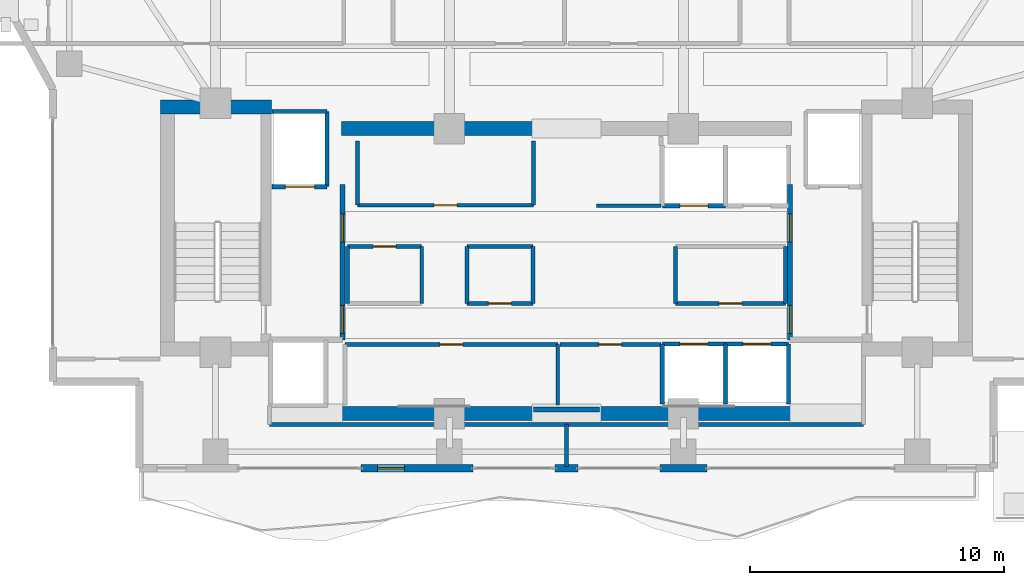
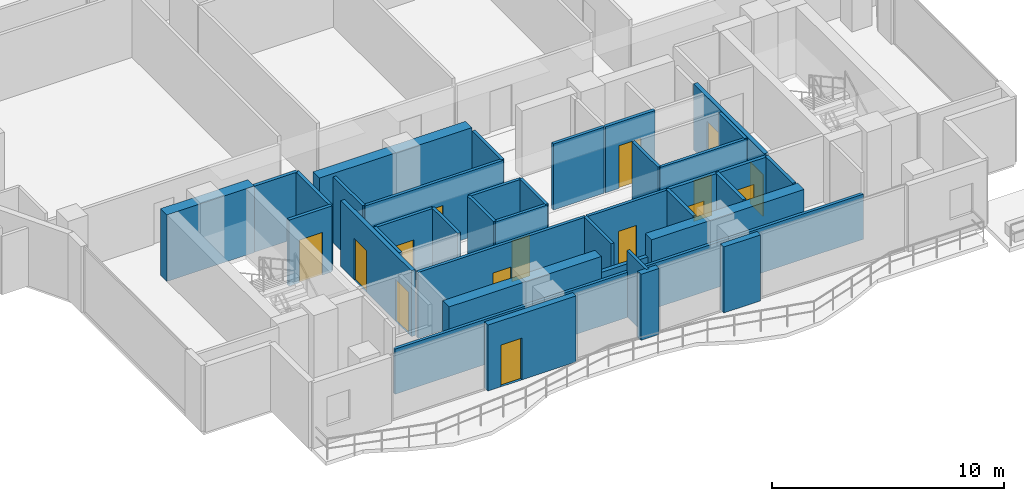
# One storey, part 19 of 25: 39 walls, 15 doors, 15 openings.
"""IFC4 building model written with IfcOpenShell, lengths in metres."""

from ifc_helpers import new_model, si_unit, direction, frame, frame_2d, origin, place, context, subcontext, project, spatial, rectangle, extrude, material, layer, layer_set, type_object, element, fill, save


model = new_model("IFC4")

# Units and contexts
model_context = context("Model", 3, precision=1e-05, world=origin(), true_north=direction((0.0, 1.0)))
body_context = subcontext(model_context, "Body", "Model", "MODEL_VIEW")
ifc_project = project(units=[si_unit("LENGTHUNIT", "METRE"), si_unit("AREAUNIT", "SQUARE_METRE"), si_unit("VOLUMEUNIT", "CUBIC_METRE"), si_unit("PLANEANGLEUNIT", "RADIAN"), si_unit("MASSUNIT", "GRAM", prefix="KILO")], contexts=[model_context])

# Site, building, storey
site_placement = place(None, origin())
site = spatial("IfcSite", under=ifc_project, at=site_placement, CompositionType="ELEMENT")
building_placement = place(site_placement, origin())
building = spatial("IfcBuilding", under=site, at=building_placement, Name="Zuhayl Quay Hotel", CompositionType="ELEMENT")
storey_placement = place(building_placement, frame((0.0, 0.0, 258.14990234375)))
storey = spatial("IfcBuildingStorey", under=building, at=storey_placement, Name="L65", CompositionType="ELEMENT", Elevation=258.14990234375)

# Walls
ifc_material_1 = material(Name="Concrete C50/60", Category="concrete")
ifc_layer_1 = layer(ifc_material_1, 0.550048828125, Name="Concrete C50/60", Category="concrete")
ifc_layer_set_1 = layer_set([ifc_layer_1], Name="Concrete C50/60")
wall_type_1 = type_object("IfcWallType", Name="WL_CORE_550", PredefinedType="SHEAR", material=ifc_layer_set_1)
wall_1_placement = place(storey_placement, frame((-15.9599609375, 14.205078125, 0.0), z_axis=(0.0, 0.0, 1.0), x_axis=(1.0, 0.0, 0.0)))
element("IfcWall", 1, at=wall_1_placement, inside=storey, type_object=wall_type_1, Name="L65 Core Shear Wall CW_NW", PredefinedType="SHEAR", context=body_context, shape_type="SweptSolid", body=[
    extrude(rectangle(XDim=4.35986328125, YDim=0.550048828125, at=frame_2d((2.179931640625, 0.0))), origin(), (0.0, 0.0, 1.0), 3.510009765625),
])
for number, where, z_axis, x_axis, name in (
    (2, (-8.85009765625, 2.14990234375, 0.0), (0.0, 0.0, 1.0), (1.0, 0.0, 0.0), "L65 Core Shear Wall CW_SC_W"),
    (3, (1.25, 2.14990234375, 0.0), (0.0, 0.0, 1.0), (1.0, 0.0, 0.0), "L65 Core Shear Wall CW_SC_E"),
    (4, (-8.85009765625, 13.35009765625, 0.0), (0.0, 0.0, 1.0), (1.0, 0.0, 0.0), "L65 Core Shear Wall CW_NC_W"),
):
    element("IfcWall", number, at=place(storey_placement, frame(where, z_axis=z_axis, x_axis=x_axis)), inside=storey, type_object=wall_type_1, Name=name, PredefinedType="SHEAR", context=body_context, shape_type="SweptSolid", body=[
        extrude(rectangle(XDim=7.60009765625, YDim=0.550048828125, at=frame_2d((3.800048828125, 0.0))), origin(), (0.0, 0.0, 1.0), 3.47998046875),
    ])
ifc_material_2 = material(Name="Precast concrete C45/55", Category="concrete")
ifc_layer_2 = layer(ifc_material_2, 0.300048828125, Name="Precast concrete C45/55", Category="concrete")
ifc_layer_set_2 = layer_set([ifc_layer_2], Name="Precast concrete C45/55")
wall_type_2 = type_object("IfcWallType", Name="WL_EXT_300", PredefinedType="STANDARD", material=ifc_layer_set_2)
wall_2_placement = place(storey_placement, frame((5.52001953125, 0.0, 0.0), z_axis=(0.0, 0.0, 1.0), x_axis=(-1.0, 0.0, 0.0)))
element("IfcWall", 5, at=wall_2_placement, inside=storey, type_object=wall_type_2, Name="L65 Exterior Precast Wall ENV_L65_S_EW2", PredefinedType="STANDARD", context=body_context, shape_type="SweptSolid", body=[
    extrude(rectangle(XDim=1.840087890625, YDim=0.300048828125, at=frame_2d((0.919921875, 0.0))), origin(), (0.0, 0.0, 1.0), 3.47998046875),
])
wall_3_placement = place(storey_placement, frame((0.449951171875, 0.0, 0.0), z_axis=(0.0, 0.0, 1.0), x_axis=(-1.0, 0.0, 0.0)))
element("IfcWall", 6, at=wall_3_placement, inside=storey, type_object=wall_type_2, Name="L65 Exterior Precast Wall ENV_L65_S_EW3", PredefinedType="STANDARD", context=body_context, shape_type="SweptSolid", body=[
    extrude(rectangle(XDim=0.89990234375, YDim=0.300048828125, at=frame_2d((0.449951171875, 0.0))), origin(), (0.0, 0.0, 1.0), 3.47998046875),
])

# Wall, opening, door
wall_4_placement = place(storey_placement, frame((-3.679931640625, 0.0, 0.0), z_axis=(0.0, 0.0, 1.0), x_axis=(-1.0, 0.0, 0.0)))
wall_4 = element("IfcWall", 7, at=wall_4_placement, inside=storey, type_object=wall_type_2, Name="L65 Exterior Precast Wall ENV_L65_S_EW4", PredefinedType="STANDARD", context=body_context, shape_type="SweptSolid", body=[
    extrude(rectangle(XDim=4.39501953125, YDim=0.300048828125, at=frame_2d((2.197509765625, 0.0))), origin(), (0.0, 0.0, 1.0), 3.47998046875),
])
opening_1_placement = place(wall_4_placement, frame((2.695068359375, 0.0, 0.0)))
opening_1 = element("IfcOpeningElement", 8, at=opening_1_placement, cuts=wall_4, Name="Opening DG1", PredefinedType="OPENING", context=body_context, shape_type="SweptSolid", body=[
    extrude(rectangle(XDim=1.050048828125, YDim=2.199951171875, at=frame_2d((0.52490234375, 1.10009765625))), frame((0.0, 0.159912109375, 0.0), z_axis=(0.0, -1.0, 0.0), x_axis=(1.0, 0.0, 0.0)), (0.0, 0.0, 1.0), 0.320068359375),
])
ifc_material_3 = material(Name="Anodised Aluminium and Dark Solar Glass", Category="aluminium")
door_type_1 = type_object("IfcDoorType", Name="DR_EXT_TERR_1050", OperationType="NOTDEFINED", PredefinedType="DOOR", material=ifc_material_3)
door_1_placement = place(opening_1_placement, origin())
door_1 = element("IfcDoor", 9, at=door_1_placement, inside=storey, type_object=door_type_1, Name="L65 South Rippling Balcony Door", OperationType="SINGLE_SWING_RIGHT", OverallHeight=2.199951171875, OverallWidth=1.050048828125, PredefinedType="DOOR", context=body_context, shape_type="SweptSolid", body=[
    extrude(rectangle(XDim=1.050048828125, YDim=2.199951171875, at=frame_2d((0.52490234375, 1.10009765625))), frame((0.0, 0.02490234375, 0.0), z_axis=(0.0, -1.0, 0.0), x_axis=(1.0, 0.0, 0.0)), (0.0, 0.0, 1.0), 0.050048828125),
])
fill(opening_1, door_1)

ifc_material_4 = material(Name="Acoustic Gypsum Partition STC-58")
ifc_layer_3 = layer(ifc_material_4, 0.14990234375, Name="Acoustic Gypsum Partition STC-58")
ifc_layer_set_3 = layer_set([ifc_layer_3], Name="Acoustic Gypsum Partition STC-58")
wall_type_3 = type_object("IfcWallType", Name="WL_PART_150", PredefinedType="PARTITIONING", material=ifc_layer_set_3)
wall_5_placement = place(storey_placement, frame((-8.7099609375, 4.860107421875, 0.0), z_axis=(0.0, 0.0, 1.0), x_axis=(1.0, 0.0, 0.0)))
wall_5 = element("IfcWall", 10, at=wall_5_placement, inside=storey, type_object=wall_type_3, Name="L65 Partition IW_L65_FMP_SW_N", PredefinedType="PARTITIONING", context=body_context, shape_type="SweptSolid", body=[
    extrude(rectangle(XDim=8.369873046875, YDim=0.14990234375, at=frame_2d((4.18505859375, 0.0))), origin(), (0.0, 0.0, 1.0), 3.47998046875),
])
opening_2_placement = place(wall_5_placement, frame((3.735107421875, 0.0, 0.0)))
opening_2 = element("IfcOpeningElement", 11, at=opening_2_placement, cuts=wall_5, Name="Opening D06", PredefinedType="OPENING", context=body_context, shape_type="SweptSolid", body=[
    extrude(rectangle(XDim=0.89990234375, YDim=2.14990234375, at=frame_2d((0.449951171875, 1.074951171875))), frame((0.0, 0.0849609375, 0.0), z_axis=(0.0, -1.0, 0.0), x_axis=(1.0, 0.0, 0.0)), (0.0, 0.0, 1.0), 0.169921875),
])
ifc_material_5 = material(Name="Steel ASTM A992 Grade 50", Category="steel")
door_type_2 = type_object("IfcDoorType", Name="DR_INT_900", OperationType="NOTDEFINED", PredefinedType="DOOR", material=ifc_material_5)
door_2_placement = place(opening_2_placement, origin())
door_2 = element("IfcDoor", 12, at=door_2_placement, inside=storey, type_object=door_type_2, Name="L65 Royal Butler Servery Door", OperationType="SINGLE_SWING_RIGHT", OverallHeight=2.14990234375, OverallWidth=0.89990234375, PredefinedType="DOOR", context=body_context, shape_type="SweptSolid", body=[
    extrude(rectangle(XDim=0.89990234375, YDim=2.14990234375, at=frame_2d((0.449951171875, 1.074951171875))), frame((0.0, 0.02490234375, 0.0), z_axis=(0.0, -1.0, 0.0), x_axis=(1.0, 0.0, 0.0)), (0.0, 0.0, 1.0), 0.050048828125),
])
fill(opening_2, door_2)

wall_6_placement = place(storey_placement, frame((-0.260009765625, 4.860107421875, 0.0), z_axis=(0.0, 0.0, 1.0), x_axis=(1.0, 0.0, 0.0)))
wall_6 = element("IfcWall", 13, at=wall_6_placement, inside=storey, type_object=wall_type_3, Name="L65 Partition IW_L65_FMP_SE_N", PredefinedType="PARTITIONING", context=body_context, shape_type="SweptSolid", body=[
    extrude(rectangle(XDim=3.969970703125, YDim=0.14990234375, at=frame_2d((1.98486328125, 0.0))), origin(), (0.0, 0.0, 1.0), 3.47998046875),
])
opening_3_placement = place(wall_6_placement, frame((1.534912109375, 0.0, 0.0)))
opening_3 = element("IfcOpeningElement", 14, at=opening_3_placement, cuts=wall_6, Name="Opening D06", PredefinedType="OPENING", context=body_context, shape_type="SweptSolid", body=[
    extrude(rectangle(XDim=0.89990234375, YDim=2.14990234375, at=frame_2d((0.449951171875, 1.074951171875))), frame((0.0, 0.0849609375, 0.0), z_axis=(0.0, -1.0, 0.0), x_axis=(1.0, 0.0, 0.0)), (0.0, 0.0, 1.0), 0.169921875),
])
door_3_placement = place(opening_3_placement, origin())
door_3 = element("IfcDoor", 15, at=door_3_placement, inside=storey, type_object=door_type_2, Name="L65 Butler Store East Door", OperationType="SINGLE_SWING_LEFT", OverallHeight=2.14990234375, OverallWidth=0.89990234375, PredefinedType="DOOR", context=body_context, shape_type="SweptSolid", body=[
    extrude(rectangle(XDim=0.89990234375, YDim=2.14990234375, at=frame_2d((0.449951171875, 1.074951171875))), frame((0.0, 0.02490234375, 0.0), z_axis=(0.0, -1.0, 0.0), x_axis=(1.0, 0.0, 0.0)), (0.0, 0.0, 1.0), 0.050048828125),
])
fill(opening_3, door_3)

wall_7_placement = place(storey_placement, frame((-8.2099609375, 10.340087890625, 0.0), z_axis=(0.0, 0.0, 1.0), x_axis=(1.0, 0.0, 0.0)))
wall_7 = element("IfcWall", 16, at=wall_7_placement, inside=storey, type_object=wall_type_3, Name="L65 Partition IW_L65_FMP_NW_S", PredefinedType="PARTITIONING", context=body_context, shape_type="SweptSolid", body=[
    extrude(rectangle(XDim=6.919921875, YDim=0.14990234375, at=frame_2d((3.4599609375, 0.0))), origin(), (0.0, 0.0, 1.0), 3.47998046875),
])
opening_4_placement = place(wall_7_placement, frame((3.010009765625, 0.0, 0.0)))
opening_4 = element("IfcOpeningElement", 17, at=opening_4_placement, cuts=wall_7, Name="Opening D06", PredefinedType="OPENING", context=body_context, shape_type="SweptSolid", body=[
    extrude(rectangle(XDim=0.89990234375, YDim=2.14990234375, at=frame_2d((0.449951171875, 1.074951171875))), frame((0.0, 0.0849609375, 0.0), z_axis=(0.0, -1.0, 0.0), x_axis=(1.0, 0.0, 0.0)), (0.0, 0.0, 1.0), 0.169921875),
])
door_4_placement = place(opening_4_placement, origin())
door_4 = element("IfcDoor", 18, at=door_4_placement, inside=storey, type_object=door_type_2, Name="L65 Valet Locker Store Door", OperationType="SINGLE_SWING_RIGHT", OverallHeight=2.14990234375, OverallWidth=0.89990234375, PredefinedType="DOOR", context=body_context, shape_type="SweptSolid", body=[
    extrude(rectangle(XDim=0.89990234375, YDim=2.14990234375, at=frame_2d((0.449951171875, 1.074951171875))), frame((0.0, 0.02490234375, 0.0), z_axis=(0.0, -1.0, 0.0), x_axis=(1.0, 0.0, 0.0)), (0.0, 0.0, 1.0), 0.050048828125),
])
fill(opening_4, door_4)

wall_8_placement = place(storey_placement, frame((-8.610107421875, 8.719970703125, 0.0), z_axis=(0.0, 0.0, 1.0), x_axis=(1.0, 0.0, 0.0)))
wall_8 = element("IfcWall", 19, at=wall_8_placement, inside=storey, type_object=wall_type_3, Name="L65 Partition IW_L65_CORE_HK_N", PredefinedType="PARTITIONING", context=body_context, shape_type="SweptSolid", body=[
    extrude(rectangle(XDim=2.920166015625, YDim=0.14990234375, at=frame_2d((1.4599609375, 0.0))), origin(), (0.0, 0.0, 1.0), 3.47998046875),
])
opening_5_placement = place(wall_8_placement, frame((1.010009765625, 0.0, 0.0)))
opening_5 = element("IfcOpeningElement", 20, at=opening_5_placement, cuts=wall_8, Name="Opening D06", PredefinedType="OPENING", context=body_context, shape_type="SweptSolid", body=[
    extrude(rectangle(XDim=0.89990234375, YDim=2.14990234375, at=frame_2d((0.449951171875, 1.074951171875))), frame((0.0, 0.0849609375, 0.0), z_axis=(0.0, -1.0, 0.0), x_axis=(1.0, 0.0, 0.0)), (0.0, 0.0, 1.0), 0.169921875),
])
door_5_placement = place(opening_5_placement, origin())
door_5 = element("IfcDoor", 21, at=door_5_placement, inside=storey, type_object=door_type_2, Name="L65 Core Housekeeping Store Door", OperationType="SINGLE_SWING_LEFT", OverallHeight=2.14990234375, OverallWidth=0.89990234375, PredefinedType="DOOR", context=body_context, shape_type="SweptSolid", body=[
    extrude(rectangle(XDim=0.89990234375, YDim=2.14990234375, at=frame_2d((0.449951171875, 1.074951171875))), frame((0.0, 0.02490234375, 0.0), z_axis=(0.0, -1.0, 0.0), x_axis=(1.0, 0.0, 0.0)), (0.0, 0.0, 1.0), 0.050048828125),
])
fill(opening_5, door_5)

wall_9_placement = place(storey_placement, frame((-3.909912109375, 6.47998046875, 0.0), z_axis=(0.0, 0.0, 1.0), x_axis=(1.0, 0.0, 0.0)))
wall_9 = element("IfcWall", 22, at=wall_9_placement, inside=storey, type_object=wall_type_3, Name="L65 Partition IW_L65_CORE_BC_S", PredefinedType="PARTITIONING", context=body_context, shape_type="SweptSolid", body=[
    extrude(rectangle(XDim=2.58984375, YDim=0.14990234375, at=frame_2d((1.294921875, 0.0))), origin(), (0.0, 0.0, 1.0), 3.47998046875),
])
opening_6_placement = place(wall_9_placement, frame((0.844970703125, 0.0, 0.0)))
opening_6 = element("IfcOpeningElement", 23, at=opening_6_placement, cuts=wall_9, Name="Opening D06", PredefinedType="OPENING", context=body_context, shape_type="SweptSolid", body=[
    extrude(rectangle(XDim=0.89990234375, YDim=2.14990234375, at=frame_2d((0.449951171875, 1.074951171875))), frame((0.0, 0.0849609375, 0.0), z_axis=(0.0, -1.0, 0.0), x_axis=(1.0, 0.0, 0.0)), (0.0, 0.0, 1.0), 0.169921875),
])
door_6_placement = place(opening_6_placement, origin())
door_6 = element("IfcDoor", 24, at=door_6_placement, inside=storey, type_object=door_type_2, Name="L65 BMS Control Closet Door", OperationType="SINGLE_SWING_RIGHT", OverallHeight=2.14990234375, OverallWidth=0.89990234375, PredefinedType="DOOR", context=body_context, shape_type="SweptSolid", body=[
    extrude(rectangle(XDim=0.89990234375, YDim=2.14990234375, at=frame_2d((0.449951171875, 1.074951171875))), frame((0.0, 0.02490234375, 0.0), z_axis=(0.0, -1.0, 0.0), x_axis=(1.0, 0.0, 0.0)), (0.0, 0.0, 1.0), 0.050048828125),
])
fill(opening_6, door_6)

wall_10_placement = place(storey_placement, frame((4.2900390625, 6.47998046875, 0.0), z_axis=(0.0, 0.0, 1.0), x_axis=(1.0, 0.0, 0.0)))
wall_10 = element("IfcWall", 25, at=wall_10_placement, inside=storey, type_object=wall_type_3, Name="L65 Partition IW_L65_CORE_VL_S", PredefinedType="PARTITIONING", context=body_context, shape_type="SweptSolid", body=[
    extrude(rectangle(XDim=4.320068359375, YDim=0.14990234375, at=frame_2d((2.16015625, 0.0))), origin(), (0.0, 0.0, 1.0), 3.47998046875),
])
opening_7_placement = place(wall_10_placement, frame((1.7099609375, 0.0, 0.0)))
opening_7 = element("IfcOpeningElement", 26, at=opening_7_placement, cuts=wall_10, Name="Opening D06", PredefinedType="OPENING", context=body_context, shape_type="SweptSolid", body=[
    extrude(rectangle(XDim=0.89990234375, YDim=2.14990234375, at=frame_2d((0.449951171875, 1.074951171875))), frame((0.0, 0.0849609375, 0.0), z_axis=(0.0, -1.0, 0.0), x_axis=(1.0, 0.0, 0.0)), (0.0, 0.0, 1.0), 0.169921875),
])
door_7_placement = place(opening_7_placement, origin())
door_7 = element("IfcDoor", 27, at=door_7_placement, inside=storey, type_object=door_type_2, Name="L65 Floor Valet Store Door", OperationType="SINGLE_SWING_LEFT", OverallHeight=2.14990234375, OverallWidth=0.89990234375, PredefinedType="DOOR", context=body_context, shape_type="SweptSolid", body=[
    extrude(rectangle(XDim=0.89990234375, YDim=2.14990234375, at=frame_2d((0.449951171875, 1.074951171875))), frame((0.0, 0.02490234375, 0.0), z_axis=(0.0, -1.0, 0.0), x_axis=(1.0, 0.0, 0.0)), (0.0, 0.0, 1.0), 0.050048828125),
])
fill(opening_7, door_7)

# Walls
wall_11_placement = place(storey_placement, frame((-0.340087890625, 2.489990234375, 0.0), z_axis=(0.0, 0.0, 1.0), x_axis=(0.0, 1.0, 0.0)))
element("IfcWall", 28, at=wall_11_placement, inside=storey, type_object=wall_type_3, Name="L65 Partition IW_L65_FMP_SW_E", PredefinedType="PARTITIONING", context=body_context, shape_type="SweptSolid", body=[
    extrude(rectangle(XDim=2.3701171875, YDim=0.14990234375, at=frame_2d((1.18505859375, 0.0))), origin(), (0.0, 0.0, 1.0), 3.47998046875),
])
for number, where, z_axis, x_axis, name in (
    (29, (-8.2099609375, 10.340087890625, 0.0), (0.0, 0.0, 1.0), (0.0, 1.0, 0.0), "L65 Partition IW_L65_FMP_NW_W"),
    (30, (-1.2900390625, 10.340087890625, 0.0), (0.0, 0.0, 1.0), (0.0, 1.0, 0.0), "L65 Partition IW_L65_FMP_NW_E"),
):
    element("IfcWall", number, at=place(storey_placement, frame(where, z_axis=z_axis, x_axis=x_axis)), inside=storey, type_object=wall_type_3, Name=name, PredefinedType="PARTITIONING", context=body_context, shape_type="SweptSolid", body=[
        extrude(rectangle(XDim=2.52001953125, YDim=0.14990234375, at=frame_2d((1.260009765625, 0.0))), origin(), (0.0, 0.0, 1.0), 3.47998046875),
    ])
for number, where, z_axis, x_axis, name in (
    (31, (-8.610107421875, 6.47998046875, 0.0), (0.0, 0.0, 1.0), (0.0, 1.0, 0.0), "L65 Partition IW_L65_CORE_HK_W"),
    (32, (-5.68994140625, 6.47998046875, 0.0), (0.0, 0.0, 1.0), (0.0, 1.0, 0.0), "L65 Partition IW_L65_CORE_HK_E"),
):
    element("IfcWall", number, at=place(storey_placement, frame(where, z_axis=z_axis, x_axis=x_axis)), inside=storey, type_object=wall_type_3, Name=name, PredefinedType="PARTITIONING", context=body_context, shape_type="SweptSolid", body=[
        extrude(rectangle(XDim=2.239990234375, YDim=0.14990234375, at=frame_2d((1.1201171875, 0.0))), origin(), (0.0, 0.0, 1.0), 3.47998046875),
    ])
wall_12_placement = place(storey_placement, frame((-3.909912109375, 8.719970703125, 0.0), z_axis=(0.0, 0.0, 1.0), x_axis=(1.0, 0.0, 0.0)))
element("IfcWall", 33, at=wall_12_placement, inside=storey, type_object=wall_type_3, Name="L65 Partition IW_L65_CORE_BC_N", PredefinedType="PARTITIONING", context=body_context, shape_type="SweptSolid", body=[
    extrude(rectangle(XDim=2.58984375, YDim=0.14990234375, at=frame_2d((1.294921875, 0.0))), origin(), (0.0, 0.0, 1.0), 3.47998046875),
])
for number, where, z_axis, x_axis, name in (
    (34, (-3.909912109375, 6.47998046875, 0.0), (0.0, 0.0, 1.0), (0.0, 1.0, 0.0), "L65 Partition IW_L65_CORE_BC_W"),
    (35, (-1.320068359375, 6.47998046875, 0.0), (0.0, 0.0, 1.0), (0.0, 1.0, 0.0), "L65 Partition IW_L65_CORE_BC_E"),
    (36, (4.2900390625, 6.47998046875, 0.0), (0.0, 0.0, 1.0), (0.0, 1.0, 0.0), "L65 Partition IW_L65_CORE_VL_W"),
    (37, (8.610107421875, 6.47998046875, 0.0), (0.0, 0.0, 1.0), (0.0, 1.0, 0.0), "L65 Partition IW_L65_CORE_VL_E"),
):
    element("IfcWall", number, at=place(storey_placement, frame(where, z_axis=z_axis, x_axis=x_axis)), inside=storey, type_object=wall_type_3, Name=name, PredefinedType="PARTITIONING", context=body_context, shape_type="SweptSolid", body=[
        extrude(rectangle(XDim=2.239990234375, YDim=0.14990234375, at=frame_2d((1.1201171875, 0.0))), origin(), (0.0, 0.0, 1.0), 3.47998046875),
    ])
wall_13_placement = place(storey_placement, frame((1.179931640625, 10.320068359375, 0.0), z_axis=(0.0, 0.0, 1.0), x_axis=(1.0, 0.0, 0.0)))
element("IfcWall", 38, at=wall_13_placement, inside=storey, type_object=wall_type_3, Name="L65 Partition IW_L65_VEST_MP4_S", PredefinedType="PARTITIONING", context=body_context, shape_type="SweptSolid", body=[
    extrude(rectangle(XDim=2.5400390625, YDim=0.14990234375, at=frame_2d((1.27001953125, 0.0))), origin(), (0.0, 0.0, 1.0), 3.47998046875),
])
for number, where, z_axis, x_axis, name in (
    (39, (-11.679931640625, 1.719970703125, 0.0), (0.0, 0.0, 1.0), (1.0, 0.0, 0.0), "L65 Partition IW_L65_Z4_SUN_SW_SN"),
    (40, (0.0, 1.719970703125, 0.0), (0.0, 0.0, 1.0), (1.0, 0.0, 0.0), "L65 Partition IW_L65_Z4_SUN_SE_SN"),
):
    element("IfcWall", number, at=place(storey_placement, frame(where, z_axis=z_axis, x_axis=x_axis)), inside=storey, type_object=wall_type_3, Name=name, PredefinedType="PARTITIONING", context=body_context, shape_type="SweptSolid", body=[
        extrude(rectangle(XDim=11.679931640625, YDim=0.14990234375, at=frame_2d((5.83984375, 0.0))), origin(), (0.0, 0.0, 1.0), 2.380126953125),
    ])
wall_14_placement = place(storey_placement, frame((0.0, 0.06005859375, 0.0), z_axis=(0.0, 0.0, 1.0), x_axis=(0.0, 1.0, 0.0)))
element("IfcWall", 41, at=wall_14_placement, inside=storey, type_object=wall_type_3, Name="L65 Partition IW_L65_Z4_SUN_MID", PredefinedType="PARTITIONING", context=body_context, shape_type="SweptSolid", body=[
    extrude(rectangle(XDim=1.659912109375, YDim=0.14990234375, at=frame_2d((0.830078125, 0.0))), origin(), (0.0, 0.0, 1.0), 3.47998046875),
])

# Wall, opening, door
ifc_material_6 = material(Name="Gypsum Fireboard Assembly EI-90")
ifc_layer_4 = layer(ifc_material_6, 0.1650390625, Name="Gypsum Fireboard Assembly EI-90")
ifc_layer_set_4 = layer_set([ifc_layer_4], Name="Gypsum Fireboard Assembly EI-90")
wall_type_4 = type_object("IfcWallType", Name="WL_PART_SHAFT_160", PredefinedType="PARTITIONING", material=ifc_layer_set_4)
wall_15_placement = place(storey_placement, frame((-11.580078125, 11.070068359375, 0.0), z_axis=(0.0, 0.0, 1.0), x_axis=(1.0, 0.0, 0.0)))
wall_15 = element("IfcWall", 42, at=wall_15_placement, inside=storey, type_object=wall_type_4, Name="L65 Partition IW_L65_SH_FL1_F", PredefinedType="PARTITIONING", context=body_context, shape_type="SweptSolid", body=[
    extrude(rectangle(XDim=2.16015625, YDim=0.1650390625, at=frame_2d((1.080078125, 0.0))), origin(), (0.0, 0.0, 1.0), 3.47998046875),
])
opening_8_placement = place(wall_15_placement, frame((0.530029296875, 0.0, 0.0)))
opening_8 = element("IfcOpeningElement", 43, at=opening_8_placement, cuts=wall_15, Name="Opening LD2", PredefinedType="OPENING", context=body_context, shape_type="SweptSolid", body=[
    extrude(rectangle(XDim=1.14990234375, YDim=2.25, at=frame_2d((0.574951171875, 1.125))), frame((0.0, 0.092529296875, 0.0), z_axis=(0.0, -1.0, 0.0), x_axis=(1.0, 0.0, 0.0)), (0.0, 0.0, 1.0), 0.18505859375),
])
ifc_material_7 = material(Name="Brushed Stainless Steel", Category="steel")
door_type_3 = type_object("IfcDoorType", Name="DR_LIFT_FF_1100", OperationType="SLIDING_TO_LEFT", PredefinedType="DOOR", material=ifc_material_7)
door_8_placement = place(opening_8_placement, origin())
door_8 = element("IfcDoor", 44, at=door_8_placement, inside=storey, type_object=door_type_3, Name="L65 Lift FL1 Sliding Landing Door", OperationType="SLIDING_TO_LEFT", OverallHeight=2.25, OverallWidth=1.14990234375, PredefinedType="DOOR", context=body_context, shape_type="SweptSolid", body=[
    extrude(rectangle(XDim=1.14990234375, YDim=2.25, at=frame_2d((0.574951171875, 1.125))), frame((0.0, 0.02490234375, 0.0), z_axis=(0.0, -1.0, 0.0), x_axis=(1.0, 0.0, 0.0)), (0.0, 0.0, 1.0), 0.050048828125),
])
fill(opening_8, door_8)

wall_16_placement = place(storey_placement, frame((3.77001953125, 4.8798828125, 0.0), z_axis=(0.0, 0.0, 1.0), x_axis=(1.0, 0.0, 0.0)))
wall_16 = element("IfcWall", 45, at=wall_16_placement, inside=storey, type_object=wall_type_4, Name="L65 Partition IW_L65_SH_HP1_F", PredefinedType="PARTITIONING", context=body_context, shape_type="SweptSolid", body=[
    extrude(rectangle(XDim=2.47998046875, YDim=0.1650390625, at=frame_2d((1.239990234375, 0.0))), origin(), (0.0, 0.0, 1.0), 3.47998046875),
])
opening_9_placement = place(wall_16_placement, frame((0.68994140625, 0.0, 0.0)))
opening_9 = element("IfcOpeningElement", 46, at=opening_9_placement, cuts=wall_16, Name="Opening LD1", PredefinedType="OPENING", context=body_context, shape_type="SweptSolid", body=[
    extrude(rectangle(XDim=1.10009765625, YDim=2.25, at=frame_2d((0.550048828125, 1.125))), frame((0.0, 0.092529296875, 0.0), z_axis=(0.0, -1.0, 0.0), x_axis=(1.0, 0.0, 0.0)), (0.0, 0.0, 1.0), 0.18505859375),
])
door_type_4 = type_object("IfcDoorType", Name="DR_LIFT_PASS_1100", OperationType="SLIDING_TO_LEFT", PredefinedType="DOOR", material=ifc_material_7)
door_9_placement = place(opening_9_placement, origin())
door_9 = element("IfcDoor", 47, at=door_9_placement, inside=storey, type_object=door_type_4, Name="L65 Lift HP1 Sliding Landing Door", OperationType="SLIDING_TO_LEFT", OverallHeight=2.25, OverallWidth=1.10009765625, PredefinedType="DOOR", context=body_context, shape_type="SweptSolid", body=[
    extrude(rectangle(XDim=1.10009765625, YDim=2.25, at=frame_2d((0.550048828125, 1.125))), frame((0.0, 0.02490234375, 0.0), z_axis=(0.0, -1.0, 0.0), x_axis=(1.0, 0.0, 0.0)), (0.0, 0.0, 1.0), 0.050048828125),
])
fill(opening_9, door_9)

wall_17_placement = place(storey_placement, frame((6.25, 4.8798828125, 0.0), z_axis=(0.0, 0.0, 1.0), x_axis=(1.0, 0.0, 0.0)))
wall_17 = element("IfcWall", 48, at=wall_17_placement, inside=storey, type_object=wall_type_4, Name="L65 Partition IW_L65_SH_HP2_F", PredefinedType="PARTITIONING", context=body_context, shape_type="SweptSolid", body=[
    extrude(rectangle(XDim=2.47998046875, YDim=0.1650390625, at=frame_2d((1.239990234375, 0.0))), origin(), (0.0, 0.0, 1.0), 3.47998046875),
])
opening_10_placement = place(wall_17_placement, frame((0.68994140625, 0.0, 0.0)))
opening_10 = element("IfcOpeningElement", 49, at=opening_10_placement, cuts=wall_17, Name="Opening LD1", PredefinedType="OPENING", context=body_context, shape_type="SweptSolid", body=[
    extrude(rectangle(XDim=1.10009765625, YDim=2.25, at=frame_2d((0.550048828125, 1.125))), frame((0.0, 0.092529296875, 0.0), z_axis=(0.0, -1.0, 0.0), x_axis=(1.0, 0.0, 0.0)), (0.0, 0.0, 1.0), 0.18505859375),
])
door_10_placement = place(opening_10_placement, origin())
door_10 = element("IfcDoor", 50, at=door_10_placement, inside=storey, type_object=door_type_4, Name="L65 Lift HP2 Sliding Landing Door", OperationType="SLIDING_TO_LEFT", OverallHeight=2.25, OverallWidth=1.10009765625, PredefinedType="DOOR", context=body_context, shape_type="SweptSolid", body=[
    extrude(rectangle(XDim=1.10009765625, YDim=2.25, at=frame_2d((0.550048828125, 1.125))), frame((0.0, 0.02490234375, 0.0), z_axis=(0.0, -1.0, 0.0), x_axis=(1.0, 0.0, 0.0)), (0.0, 0.0, 1.0), 0.050048828125),
])
fill(opening_10, door_10)

wall_18_placement = place(storey_placement, frame((3.77001953125, 10.320068359375, 0.0), z_axis=(0.0, 0.0, 1.0), x_axis=(1.0, 0.0, 0.0)))
wall_18 = element("IfcWall", 51, at=wall_18_placement, inside=storey, type_object=wall_type_4, Name="L65 Partition IW_L65_SH_HP3_F", PredefinedType="PARTITIONING", context=body_context, shape_type="SweptSolid", body=[
    extrude(rectangle(XDim=2.47998046875, YDim=0.1650390625, at=frame_2d((1.239990234375, 0.0))), origin(), (0.0, 0.0, 1.0), 3.47998046875),
])
opening_11_placement = place(wall_18_placement, frame((0.68994140625, 0.0, 0.0)))
opening_11 = element("IfcOpeningElement", 52, at=opening_11_placement, cuts=wall_18, Name="Opening LD1", PredefinedType="OPENING", context=body_context, shape_type="SweptSolid", body=[
    extrude(rectangle(XDim=1.10009765625, YDim=2.25, at=frame_2d((0.550048828125, 1.125))), frame((0.0, 0.092529296875, 0.0), z_axis=(0.0, -1.0, 0.0), x_axis=(1.0, 0.0, 0.0)), (0.0, 0.0, 1.0), 0.18505859375),
])
door_11_placement = place(opening_11_placement, origin())
door_11 = element("IfcDoor", 53, at=door_11_placement, inside=storey, type_object=door_type_4, Name="L65 Lift HP3 Sliding Landing Door", OperationType="SLIDING_TO_LEFT", OverallHeight=2.25, OverallWidth=1.10009765625, PredefinedType="DOOR", context=body_context, shape_type="SweptSolid", body=[
    extrude(rectangle(XDim=1.10009765625, YDim=2.25, at=frame_2d((0.550048828125, 1.125))), frame((0.0, 0.02490234375, 0.0), z_axis=(0.0, -1.0, 0.0), x_axis=(1.0, 0.0, 0.0)), (0.0, 0.0, 1.0), 0.050048828125),
])
fill(opening_11, door_11)

# Walls
wall_19_placement = place(storey_placement, frame((-9.419921875, 11.070068359375, 0.0), z_axis=(0.0, 0.0, 1.0), x_axis=(0.0, 1.0, 0.0)))
element("IfcWall", 54, at=wall_19_placement, inside=storey, type_object=wall_type_4, Name="L65 Partition IW_L65_SH_FL1_E", PredefinedType="PARTITIONING", context=body_context, shape_type="SweptSolid", body=[
    extrude(rectangle(XDim=2.9599609375, YDim=0.1650390625, at=frame_2d((1.47998046875, 0.0))), origin(), (0.0, 0.0, 1.0), 3.47998046875),
])
wall_20_placement = place(storey_placement, frame((-11.580078125, 14.030029296875, 0.0), z_axis=(0.0, 0.0, 1.0), x_axis=(1.0, 0.0, 0.0)))
element("IfcWall", 55, at=wall_20_placement, inside=storey, type_object=wall_type_4, Name="L65 Partition IW_L65_SH_FL1_B", PredefinedType="PARTITIONING", context=body_context, shape_type="SweptSolid", body=[
    extrude(rectangle(XDim=2.16015625, YDim=0.1650390625, at=frame_2d((1.080078125, 0.0))), origin(), (0.0, 0.0, 1.0), 3.47998046875),
])
for number, where, z_axis, x_axis, name in (
    (56, (3.77001953125, 2.52001953125, 0.0), (0.0, 0.0, 1.0), (0.0, 1.0, 0.0), "L65 Partition IW_L65_SH_HP1_W"),
    (57, (6.25, 2.52001953125, 0.0), (0.0, 0.0, 1.0), (0.0, 1.0, 0.0), "L65 Partition IW_L65_SH_HP1_E"),
    (58, (8.72998046875, 2.52001953125, 0.0), (0.0, 0.0, 1.0), (0.0, 1.0, 0.0), "L65 Partition IW_L65_SH_HP2_E"),
):
    element("IfcWall", number, at=place(storey_placement, frame(where, z_axis=z_axis, x_axis=x_axis)), inside=storey, type_object=wall_type_4, Name=name, PredefinedType="PARTITIONING", context=body_context, shape_type="SweptSolid", body=[
        extrude(rectangle(XDim=2.35986328125, YDim=0.1650390625, at=frame_2d((1.179931640625, 0.0))), origin(), (0.0, 0.0, 1.0), 3.47998046875),
    ])

# Wall, openings, doors
ifc_material_8 = material(Name="Gypsum Fireboard Assembly EI-120")
ifc_layer_5 = layer(ifc_material_8, 0.199951171875, Name="Gypsum Fireboard Assembly EI-120")
ifc_layer_set_5 = layer_set([ifc_layer_5], Name="Gypsum Fireboard Assembly EI-120")
wall_type_5 = type_object("IfcWallType", Name="WL_PART_SHAFT_200", PredefinedType="PARTITIONING", material=ifc_layer_set_5)
wall_21_placement = place(storey_placement, frame((-8.800048828125, 5.050048828125, 0.0), z_axis=(0.0, 0.0, 1.0), x_axis=(0.0, 1.0, 0.0)))
wall_21 = element("IfcWall", 59, at=wall_21_placement, inside=storey, type_object=wall_type_5, Name="L65 Partition IW_L65_FSAE_W_E", PredefinedType="PARTITIONING", context=body_context, shape_type="SweptSolid", body=[
    extrude(rectangle(XDim=6.099853515625, YDim=0.199951171875, at=frame_2d((3.0498046875, 0.0))), origin(), (0.0, 0.0, 1.0), 3.47998046875),
])
opening_12_placement = place(wall_21_placement, frame((0.25, 0.0, 0.0)))
opening_12 = element("IfcOpeningElement", 60, at=opening_12_placement, cuts=wall_21, Name="Opening D02", PredefinedType="OPENING", context=body_context, shape_type="SweptSolid", body=[
    extrude(rectangle(XDim=1.10009765625, YDim=2.199951171875, at=frame_2d((0.550048828125, 1.10009765625))), frame((0.0, 0.10986328125, 0.0), z_axis=(0.0, -1.0, 0.0), x_axis=(1.0, 0.0, 0.0)), (0.0, 0.0, 1.0), 0.219970703125),
])
opening_13_placement = place(wall_21_placement, frame((3.85009765625, 0.0, 0.0)))
opening_13 = element("IfcOpeningElement", 61, at=opening_13_placement, cuts=wall_21, Name="Opening D02", PredefinedType="OPENING", context=body_context, shape_type="SweptSolid", body=[
    extrude(rectangle(XDim=1.10009765625, YDim=2.199951171875, at=frame_2d((0.550048828125, 1.10009765625))), frame((0.0, 0.10986328125, 0.0), z_axis=(0.0, -1.0, 0.0), x_axis=(1.0, 0.0, 0.0)), (0.0, 0.0, 1.0), 0.219970703125),
])
door_type_5 = type_object("IfcDoorType", Name="DR_FIRE_90_1100", OperationType="NOTDEFINED", PredefinedType="DOOR", material=ifc_material_5)
door_12_placement = place(opening_12_placement, origin())
door_12 = element("IfcDoor", 62, at=door_12_placement, inside=storey, type_object=door_type_5, Name="L65 FSAE Lobby West South Entry Door", OperationType="SINGLE_SWING_RIGHT", OverallHeight=2.199951171875, OverallWidth=1.10009765625, PredefinedType="DOOR", context=body_context, shape_type="SweptSolid", body=[
    extrude(rectangle(XDim=1.10009765625, YDim=2.199951171875, at=frame_2d((0.550048828125, 1.10009765625))), frame((0.0, 0.02490234375, 0.0), z_axis=(0.0, -1.0, 0.0), x_axis=(1.0, 0.0, 0.0)), (0.0, 0.0, 1.0), 0.050048828125),
])
fill(opening_12, door_12)
door_13_placement = place(opening_13_placement, origin())
door_13 = element("IfcDoor", 63, at=door_13_placement, inside=storey, type_object=door_type_5, Name="L65 FSAE Lobby West North Entry Door", OperationType="SINGLE_SWING_LEFT", OverallHeight=2.199951171875, OverallWidth=1.10009765625, PredefinedType="DOOR", context=body_context, shape_type="SweptSolid", body=[
    extrude(rectangle(XDim=1.10009765625, YDim=2.199951171875, at=frame_2d((0.550048828125, 1.10009765625))), frame((0.0, 0.02490234375, 0.0), z_axis=(0.0, -1.0, 0.0), x_axis=(1.0, 0.0, 0.0)), (0.0, 0.0, 1.0), 0.050048828125),
])
fill(opening_13, door_13)

wall_22_placement = place(storey_placement, frame((8.800048828125, 11.14990234375, 0.0), z_axis=(0.0, 0.0, 1.0), x_axis=(0.0, -1.0, 0.0)))
wall_22 = element("IfcWall", 64, at=wall_22_placement, inside=storey, type_object=wall_type_5, Name="L65 Partition IW_L65_FSAE_E_W", PredefinedType="PARTITIONING", context=body_context, shape_type="SweptSolid", body=[
    extrude(rectangle(XDim=6.099853515625, YDim=0.199951171875, at=frame_2d((3.0498046875, 0.0))), origin(), (0.0, 0.0, 1.0), 3.47998046875),
])
opening_14_placement = place(wall_22_placement, frame((1.14990234375, 0.0, 0.0)))
opening_14 = element("IfcOpeningElement", 65, at=opening_14_placement, cuts=wall_22, Name="Opening D02", PredefinedType="OPENING", context=body_context, shape_type="SweptSolid", body=[
    extrude(rectangle(XDim=1.10009765625, YDim=2.199951171875, at=frame_2d((0.550048828125, 1.10009765625))), frame((0.0, 0.10986328125, 0.0), z_axis=(0.0, -1.0, 0.0), x_axis=(1.0, 0.0, 0.0)), (0.0, 0.0, 1.0), 0.219970703125),
])
opening_15_placement = place(wall_22_placement, frame((4.75, 0.0, 0.0)))
opening_15 = element("IfcOpeningElement", 66, at=opening_15_placement, cuts=wall_22, Name="Opening D02", PredefinedType="OPENING", context=body_context, shape_type="SweptSolid", body=[
    extrude(rectangle(XDim=1.10009765625, YDim=2.199951171875, at=frame_2d((0.550048828125, 1.10009765625))), frame((0.0, 0.10986328125, 0.0), z_axis=(0.0, -1.0, 0.0), x_axis=(1.0, 0.0, 0.0)), (0.0, 0.0, 1.0), 0.219970703125),
])
door_14_placement = place(opening_14_placement, origin())
door_14 = element("IfcDoor", 67, at=door_14_placement, inside=storey, type_object=door_type_5, Name="L65 FSAE Lobby East North Entry Door", OperationType="SINGLE_SWING_RIGHT", OverallHeight=2.199951171875, OverallWidth=1.10009765625, PredefinedType="DOOR", context=body_context, shape_type="SweptSolid", body=[
    extrude(rectangle(XDim=1.10009765625, YDim=2.199951171875, at=frame_2d((0.550048828125, 1.10009765625))), frame((0.0, 0.02490234375, 0.0), z_axis=(0.0, -1.0, 0.0), x_axis=(1.0, 0.0, 0.0)), (0.0, 0.0, 1.0), 0.050048828125),
])
fill(opening_14, door_14)
door_15_placement = place(opening_15_placement, origin())
door_15 = element("IfcDoor", 68, at=door_15_placement, inside=storey, type_object=door_type_5, Name="L65 FSAE Lobby East South Entry Door", OperationType="SINGLE_SWING_LEFT", OverallHeight=2.199951171875, OverallWidth=1.10009765625, PredefinedType="DOOR", context=body_context, shape_type="SweptSolid", body=[
    extrude(rectangle(XDim=1.10009765625, YDim=2.199951171875, at=frame_2d((0.550048828125, 1.10009765625))), frame((0.0, 0.02490234375, 0.0), z_axis=(0.0, -1.0, 0.0), x_axis=(1.0, 0.0, 0.0)), (0.0, 0.0, 1.0), 0.050048828125),
])
fill(opening_15, door_15)

# Wall
wall_23_placement = place(storey_placement, frame((-1.300048828125, 2.300048828125, 0.0), z_axis=(0.0, 0.0, 1.0), x_axis=(1.0, 0.0, 0.0)))
element("IfcWall", 69, at=wall_23_placement, inside=storey, type_object=wall_type_5, Name="L65 Partition IW_L65_CORE_SCM", PredefinedType="PARTITIONING", context=body_context, shape_type="SweptSolid", body=[
    extrude(rectangle(XDim=2.60009765625, YDim=0.199951171875, at=frame_2d((1.300048828125, 0.0))), origin(), (0.0, 0.0, 1.0), 2.380126953125),
])

save(model, "model.ifc")
